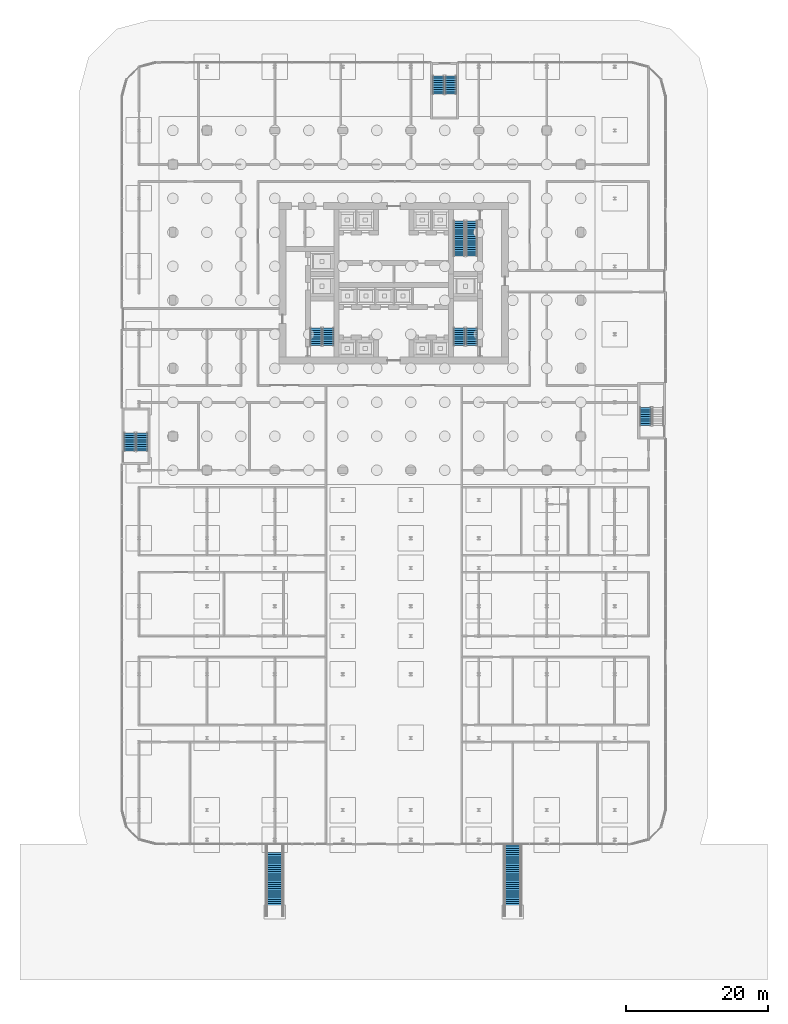
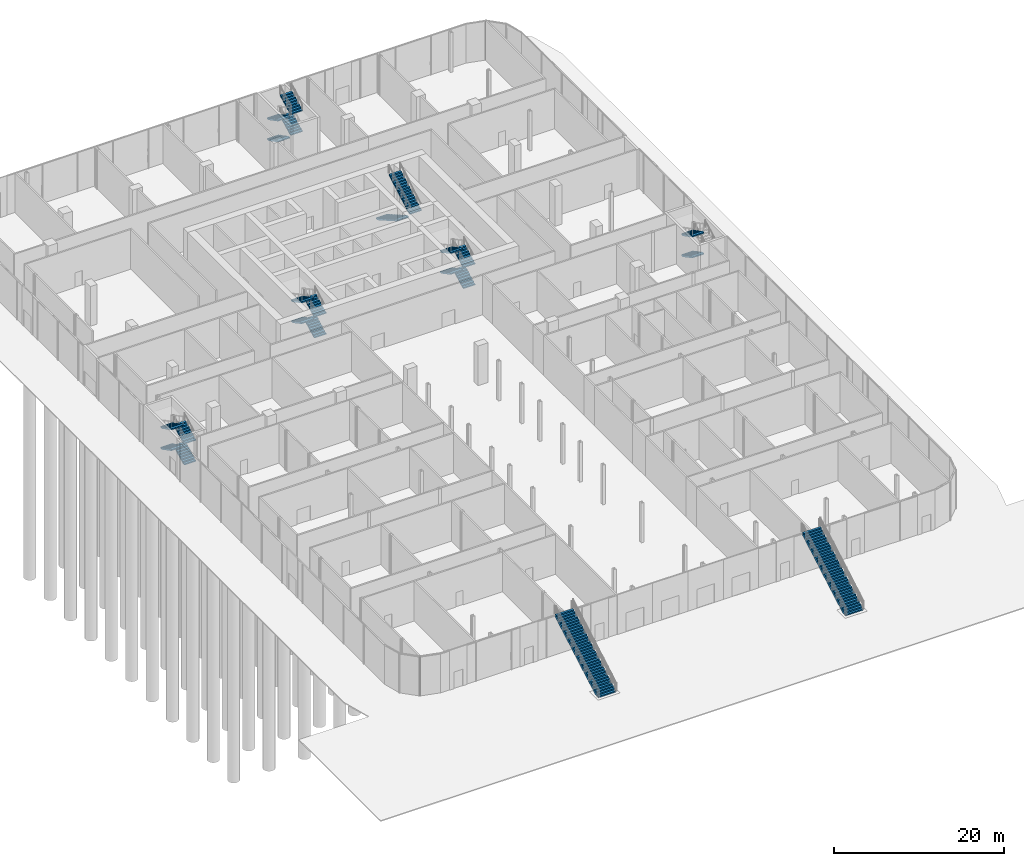
# One storey, part 37 of 44: 22 stair flights, 8 elements without a shape of their own.
"""IFC4 building model written with IfcOpenShell, lengths in metres."""

import ifcopenshell
import ifcopenshell.guid

model = None  # the IFC model being written
_history = None  # IfcOwnerHistory: only IFC2X3 demands one
_inside = {}  # id of a spatial element -> (the spatial element, [elements in it])
_under = {}  # id of a project, library or spatial element -> (it, [spatial elements below it])
_declared = {}  # id of a project -> (the project, [libraries it declares])
_typed = {}  # id of a type object -> (the type object, [elements of that type])
_made_of = {}  # id of a material, layer set ... -> (it, [elements and type objects made of it])


def new_model(schema):
    """Start an empty IFC model of exactly this schema.

    Asked for "IFC4X3", IfcOpenShell would pick the latest addendum, in which some entities
    have other attributes; the version numbers below select the first issue.
    IFC2X3 requires an IfcOwnerHistory on every rooted entity: one is made here for all.
    """
    global model, _history
    if schema == "IFC4X3":
        model = ifcopenshell.file(schema_version=(4, 3, 0, 0))
    else:
        model = ifcopenshell.file(schema=schema)
    _inside.clear()
    _under.clear()
    _declared.clear()
    _typed.clear()
    _made_of.clear()
    _history = None
    if model.schema == "IFC2X3":
        org = make("IfcOrganization", Name="unknown")
        user = make(
            "IfcPersonAndOrganization",
            ThePerson=make("IfcPerson", FamilyName="unknown"),
            TheOrganization=org,
        )
        app = make(
            "IfcApplication",
            ApplicationDeveloper=org,
            Version="unknown",
            ApplicationFullName="unknown",
            ApplicationIdentifier="unknown",
        )
        _history = make(
            "IfcOwnerHistory",
            OwningUser=user,
            OwningApplication=app,
            ChangeAction="ADDED",
            CreationDate=0,
        )
    return model


def make(cls, **values):
    """One entity of the class cls with the attributes given. An attribute that is None is left unset."""
    return model.create_entity(
        cls, **{name: value for name, value in values.items() if value is not None}
    )


def rooted(cls, **values):
    """An entity with a GlobalId (a new one), such as an element, a storey or a relation."""
    return make(cls, GlobalId=ifcopenshell.guid.new(), OwnerHistory=_history, **values)


def si_unit(unit_type, name, prefix=None):
    """IfcSIUnit, for example si_unit("LENGTHUNIT", "METRE", prefix="MILLI")."""
    return make("IfcSIUnit", UnitType=unit_type, Prefix=prefix, Name=name)


def assignment(units):
    """IfcUnitAssignment: the units of a project."""
    return None if units is None else make("IfcUnitAssignment", Units=units)


def point(xyz):
    """IfcCartesianPoint."""
    return None if xyz is None else make("IfcCartesianPoint", Coordinates=xyz)


def direction(xyz):
    """IfcDirection."""
    return None if xyz is None else make("IfcDirection", DirectionRatios=xyz)


def frame(location, z_axis=None, x_axis=None):
    """IfcAxis2Placement3D, a coordinate frame: its origin and axes. An axis left out is left unset."""
    return make(
        "IfcAxis2Placement3D",
        Location=point(location),
        Axis=direction(z_axis),
        RefDirection=direction(x_axis),
    )


def origin():
    """The frame at (0, 0, 0) with its axes left unset."""
    return frame((0.0, 0.0, 0.0))


def place(relative_to, where):
    """IfcLocalPlacement: puts the frame where relative to a parent placement (None: the world)."""
    return make(
        "IfcLocalPlacement", PlacementRelTo=relative_to, RelativePlacement=where
    )


def context(
    kind, dimensions, precision=None, world=None, true_north=None, identifier=None
):
    """IfcGeometricRepresentationContext, for example the 3D "Model" context."""
    return make(
        "IfcGeometricRepresentationContext",
        ContextIdentifier=identifier,
        ContextType=kind,
        CoordinateSpaceDimension=dimensions,
        Precision=precision,
        WorldCoordinateSystem=world,
        TrueNorth=true_north,
    )


def subcontext(parent, identifier, kind, view, scale=None):
    """IfcGeometricRepresentationSubContext, for example "Body" below "Model"."""
    return make(
        "IfcGeometricRepresentationSubContext",
        ContextIdentifier=identifier,
        ContextType=kind,
        ParentContext=parent,
        TargetScale=scale,
        TargetView=view,
    )


def project(units=None, contexts=None):
    """IfcProject with its units and contexts."""
    return rooted(
        "IfcProject",
        Name="project",
        RepresentationContexts=contexts,
        UnitsInContext=assignment(units),
    )


def spatial(cls, under=None, at=None, **own):
    """A site, building, storey or space (cls), placed at a placement, below another one or the project."""
    s = rooted(cls, ObjectPlacement=at, **own)
    if under is not None:
        _under.setdefault(under.id(), (under, []))[1].append(s)
    return s


def polyline(points):
    """IfcPolyline through the points."""
    return make("IfcPolyline", Points=[point(p) for p in points])


def outline(outer, holes=None, kind="AREA"):
    """IfcArbitraryClosedProfileDef: a profile drawn as a closed curve; with holes, ...WithVoids."""
    if holes is None:
        return make("IfcArbitraryClosedProfileDef", ProfileType=kind, OuterCurve=outer)
    return make(
        "IfcArbitraryProfileDefWithVoids",
        ProfileType=kind,
        OuterCurve=outer,
        InnerCurves=holes,
    )


def extrude(swept, where, along, depth):
    """IfcExtrudedAreaSolid: the profile swept, set in the frame where, extruded along a direction by depth."""
    return make(
        "IfcExtrudedAreaSolid",
        SweptArea=swept,
        Position=where,
        ExtrudedDirection=direction(along),
        Depth=depth,
    )


def shape(context_of_items, identifier, shape_type, items):
    """IfcShapeRepresentation: the items that make up one representation, for example the "Body"."""
    return make(
        "IfcShapeRepresentation",
        ContextOfItems=context_of_items,
        RepresentationIdentifier=identifier,
        RepresentationType=shape_type,
        Items=items,
    )


def material(Name=None, Category=None):
    """IfcMaterial."""
    return make("IfcMaterial", Name=Name, Category=Category)


def made_of(thing, what):
    """Note that an element or type object is made of a material, layer set ...; save() writes the relation."""
    if what is not None:
        _made_of.setdefault(what.id(), (what, []))[1].append(thing)
    return thing


def type_object(cls, material=None, **own):
    """A type object (cls), such as IfcWallType, which elements share."""
    return made_of(rooted(cls, **own), material)


def element(
    cls,
    number,
    at=None,
    inside=None,
    cuts=None,
    type_object=None,
    material=None,
    context=None,
    identifier="Body",
    shape_type=None,
    held_by="IfcProductDefinitionShape",
    body=None,
    shapes=None,
    **own,
):
    """One element of the class cls, such as IfcWall. Its Tag is "e" and its number.

    at: its placement. inside: the storey or other place that contains it. cuts: it is an
    opening in that element (IfcRelVoidsElement). A single representation is given by context,
    identifier, shape_type and body (its items); several are given by shapes. held_by: the class
    of the entity that holds the representations. save() writes the other relations.
    """
    e = rooted(cls, Tag="e%d" % number, ObjectPlacement=at, **own)
    if body is not None:
        shapes = [shape(context, identifier, shape_type, body)]
    if shapes is not None:
        e.Representation = make(held_by, Representations=shapes)
    if inside is not None:
        _inside.setdefault(inside.id(), (inside, []))[1].append(e)
    if cuts is not None:
        rooted(
            "IfcRelVoidsElement", RelatingBuildingElement=cuts, RelatedOpeningElement=e
        )
    if type_object is not None:
        _typed.setdefault(type_object.id(), (type_object, []))[1].append(e)
    return made_of(e, material)


def aggregate(whole, parts):
    """IfcRelAggregates: a whole, such as a stair, and the parts it consists of."""
    return rooted("IfcRelAggregates", RelatingObject=whole, RelatedObjects=parts)


def save(model, path):
    """Write the relations noted so far, then the file.

    IfcRelAggregates (storeys below a building ...), IfcRelContainedInSpatialStructure (elements
    in a storey), IfcRelDefinesByType, IfcRelAssociatesMaterial and IfcRelDeclares: one each for
    every whole, place, type object, material and project.
    """
    for whole, parts in _under.values():
        aggregate(whole, parts)
    for where, things in _inside.values():
        rooted(
            "IfcRelContainedInSpatialStructure",
            RelatedElements=things,
            RelatingStructure=where,
        )
    for kind, things in _typed.values():
        rooted("IfcRelDefinesByType", RelatedObjects=things, RelatingType=kind)
    for what, things in _made_of.values():
        rooted("IfcRelAssociatesMaterial", RelatedObjects=things, RelatingMaterial=what)
    for by, libraries in _declared.values():
        rooted("IfcRelDeclares", RelatingContext=by, RelatedDefinitions=libraries)
    model.write(path)


model = new_model("IFC4")

# Units and contexts
model_context = context("Model", 3, precision=1e-05, world=origin(), true_north=direction((0.0, 1.0)))
body_context = subcontext(model_context, "Body", "Model", "MODEL_VIEW")
ifc_project = project(units=[si_unit("LENGTHUNIT", "METRE"), si_unit("AREAUNIT", "SQUARE_METRE"), si_unit("VOLUMEUNIT", "CUBIC_METRE"), si_unit("PLANEANGLEUNIT", "RADIAN"), si_unit("MASSUNIT", "GRAM", prefix="KILO")], contexts=[model_context])

# Site, building, storey
site_placement = place(None, origin())
site = spatial("IfcSite", under=ifc_project, at=site_placement, CompositionType="ELEMENT")
building_placement = place(site_placement, origin())
building = spatial("IfcBuilding", under=site, at=building_placement, Name="Madar Terraces", CompositionType="ELEMENT")
storey_placement = place(building_placement, origin())
storey = spatial("IfcBuildingStorey", under=building, at=storey_placement, Name="L00", CompositionType="ELEMENT", Elevation=0.0)

# Stair, stair flight
ifc_material_1 = material(Name="Concrete C40/50", Category="concrete")
stair_type_1 = type_object("IfcStairType", Name="Cascade stair 2400", PredefinedType="STRAIGHT_RUN_STAIR", material=ifc_material_1)
stair_1_placement = place(storey_placement, origin())
stair_1 = element("IfcStair", 1, at=stair_1_placement, inside=storey, type_object=stair_type_1, Name="Cascade stair L01 1", PredefinedType="STRAIGHT_RUN_STAIR")
ifc_material_2 = material(Name="Concrete C40/50", Category="concrete")
stair_flight_type_1 = type_object("IfcStairFlightType", Name="Stair flight CS1-F1, 2400 wide, 35 risers", PredefinedType="STRAIGHT", material=ifc_material_2)
stair_flight_1_placement = place(storey_placement, frame((14.39990234375, -63.0, 0.0), z_axis=(0.0, 0.0, 1.0), x_axis=(0.0, 1.0, 0.0)))
stair_flight_1 = element("IfcStairFlight", 2, at=stair_flight_1_placement, type_object=stair_flight_type_1, Name="CS1 flight 1", NumberOfRisers=35, NumberOfTreads=34, PredefinedType="STRAIGHT", RiserHeight=0.171428571, TreadLength=0.3, context=body_context, shape_type="SweptSolid", body=[
    extrude(outline(polyline([(0.0, 0.0), (0.0, 0.17138671875), (0.300048828125, 0.17138671875), (0.300048828125, 0.3427734375), (0.60009765625, 0.3427734375), (0.60009765625, 0.514404296875), (0.89990234375, 0.514404296875), (0.89990234375, 0.685791015625), (1.199951171875, 0.685791015625), (1.199951171875, 0.857177734375), (1.5, 0.857177734375), (1.5, 1.028564453125), (1.800048828125, 1.028564453125), (1.800048828125, 1.199951171875), (2.10009765625, 1.199951171875), (2.10009765625, 1.371337890625), (2.39990234375, 1.371337890625), (2.39990234375, 1.54296875), (2.699951171875, 1.54296875), (2.699951171875, 1.71435546875), (3.0, 1.71435546875), (3.0, 1.8857421875), (3.300048828125, 1.8857421875), (3.300048828125, 2.05712890625), (3.60009765625, 2.05712890625), (3.60009765625, 2.228515625), (3.89990234375, 2.228515625), (3.89990234375, 2.39990234375), (4.199951171875, 2.39990234375), (4.199951171875, 2.571533203125), (4.5, 2.571533203125), (4.5, 2.742919921875), (4.800048828125, 2.742919921875), (4.800048828125, 2.914306640625), (5.10009765625, 2.914306640625), (5.10009765625, 3.085693359375), (5.39990234375, 3.085693359375), (5.39990234375, 3.257080078125), (5.699951171875, 3.257080078125), (5.699951171875, 3.428466796875), (6.0, 3.428466796875), (6.0, 3.60009765625), (6.300048828125, 3.60009765625), (6.300048828125, 3.771484375), (6.60009765625, 3.771484375), (6.60009765625, 3.94287109375), (6.89990234375, 3.94287109375), (6.89990234375, 4.1142578125), (7.199951171875, 4.1142578125), (7.199951171875, 4.28564453125), (7.5, 4.28564453125), (7.5, 4.45703125), (7.800048828125, 4.45703125), (7.800048828125, 4.628662109375), (8.10009765625, 4.628662109375), (8.10009765625, 4.800048828125), (8.39990234375, 4.800048828125), (8.39990234375, 4.971435546875), (8.699951171875, 4.971435546875), (8.699951171875, 5.142822265625), (9.0, 5.142822265625), (9.0, 5.314208984375), (9.300048828125, 5.314208984375), (9.300048828125, 5.485595703125), (9.60009765625, 5.485595703125), (9.60009765625, 5.6572265625), (9.89990234375, 5.6572265625), (9.89990234375, 5.82861328125), (10.199951171875, 5.82861328125), (10.199951171875, 6.0), (10.199951171875, 5.42529296875), (0.70556640625, 0.0), (0.0, 0.0)])), frame((0.0, 1.199951171875, 0.0), z_axis=(0.0, -1.0, 0.0), x_axis=(1.0, 0.0, 0.0)), (0.0, 0.0, 1.0), 2.39990234375),
])
aggregate(stair_1, [stair_flight_1])

stair_2_placement = place(storey_placement, origin())
stair_2 = element("IfcStair", 3, at=stair_2_placement, inside=storey, type_object=stair_type_1, Name="Cascade stair L01 2", PredefinedType="STRAIGHT_RUN_STAIR")
stair_flight_2_placement = place(storey_placement, frame((48.0, -63.0, 0.0), z_axis=(0.0, 0.0, 1.0), x_axis=(0.0, 1.0, 0.0)))
stair_flight_2 = element("IfcStairFlight", 4, at=stair_flight_2_placement, type_object=stair_flight_type_1, Name="CS1 flight 1", NumberOfRisers=35, NumberOfTreads=34, PredefinedType="STRAIGHT", RiserHeight=0.171428571, TreadLength=0.3, context=body_context, shape_type="SweptSolid", body=[
    extrude(outline(polyline([(0.0, 0.0), (0.0, 0.17138671875), (0.300048828125, 0.17138671875), (0.300048828125, 0.3427734375), (0.60009765625, 0.3427734375), (0.60009765625, 0.514404296875), (0.89990234375, 0.514404296875), (0.89990234375, 0.685791015625), (1.199951171875, 0.685791015625), (1.199951171875, 0.857177734375), (1.5, 0.857177734375), (1.5, 1.028564453125), (1.800048828125, 1.028564453125), (1.800048828125, 1.199951171875), (2.10009765625, 1.199951171875), (2.10009765625, 1.371337890625), (2.39990234375, 1.371337890625), (2.39990234375, 1.54296875), (2.699951171875, 1.54296875), (2.699951171875, 1.71435546875), (3.0, 1.71435546875), (3.0, 1.8857421875), (3.300048828125, 1.8857421875), (3.300048828125, 2.05712890625), (3.60009765625, 2.05712890625), (3.60009765625, 2.228515625), (3.89990234375, 2.228515625), (3.89990234375, 2.39990234375), (4.199951171875, 2.39990234375), (4.199951171875, 2.571533203125), (4.5, 2.571533203125), (4.5, 2.742919921875), (4.800048828125, 2.742919921875), (4.800048828125, 2.914306640625), (5.10009765625, 2.914306640625), (5.10009765625, 3.085693359375), (5.39990234375, 3.085693359375), (5.39990234375, 3.257080078125), (5.699951171875, 3.257080078125), (5.699951171875, 3.428466796875), (6.0, 3.428466796875), (6.0, 3.60009765625), (6.300048828125, 3.60009765625), (6.300048828125, 3.771484375), (6.60009765625, 3.771484375), (6.60009765625, 3.94287109375), (6.89990234375, 3.94287109375), (6.89990234375, 4.1142578125), (7.199951171875, 4.1142578125), (7.199951171875, 4.28564453125), (7.5, 4.28564453125), (7.5, 4.45703125), (7.800048828125, 4.45703125), (7.800048828125, 4.628662109375), (8.10009765625, 4.628662109375), (8.10009765625, 4.800048828125), (8.39990234375, 4.800048828125), (8.39990234375, 4.971435546875), (8.699951171875, 4.971435546875), (8.699951171875, 5.142822265625), (9.0, 5.142822265625), (9.0, 5.314208984375), (9.300048828125, 5.314208984375), (9.300048828125, 5.485595703125), (9.60009765625, 5.485595703125), (9.60009765625, 5.6572265625), (9.89990234375, 5.6572265625), (9.89990234375, 5.82861328125), (10.199951171875, 5.82861328125), (10.199951171875, 6.0), (10.199951171875, 5.42529296875), (0.70556640625, 0.0), (0.0, 0.0)])), frame((0.0, 1.199951171875, 0.0), z_axis=(0.0, -1.0, 0.0), x_axis=(1.0, 0.0, 0.0)), (0.0, 0.0, 1.0), 2.39990234375),
])
aggregate(stair_2, [stair_flight_2])

# Stair, stair flights
ifc_material_3 = material(Name="Concrete C50/60", Category="concrete")
stair_type_2 = type_object("IfcStairType", Name="Stair PS1 protected exit", PredefinedType="HALF_TURN_STAIR", material=ifc_material_3)
stair_3_placement = place(storey_placement, origin())
stair_3 = element("IfcStair", 5, at=stair_3_placement, inside=storey, type_object=stair_type_2, Name="L00 Protected Exit Stair PS1", PredefinedType="HALF_TURN_STAIR")
ifc_material_4 = material(Name="Concrete C50/60", Category="concrete")
stair_flight_type_2 = type_object("IfcStairFlightType", Name="Stair flight PS1-F1, 1600 wide, 9 risers", PredefinedType="STRAIGHT", material=ifc_material_4)
stair_flight_3_placement = place(storey_placement, frame((-4.35009765625, 2.699951171875, 0.0), z_axis=(0.0, 0.0, 1.0), x_axis=(0.0, 1.0, 0.0)))
stair_flight_3 = element("IfcStairFlight", 6, at=stair_flight_3_placement, type_object=stair_flight_type_2, Name="PS1 flight 1", NumberOfRisers=9, NumberOfTreads=8, PredefinedType="STRAIGHT", RiserHeight=0.166666667, TreadLength=0.32, context=body_context, shape_type="SweptSolid", body=[
    extrude(outline(polyline([(0.0, 0.0), (0.0, 0.166748046875), (0.320068359375, 0.166748046875), (0.320068359375, 0.333251953125), (0.639892578125, 0.333251953125), (0.639892578125, 0.5), (0.9599609375, 0.5), (0.9599609375, 0.666748046875), (1.280029296875, 0.666748046875), (1.280029296875, 0.833251953125), (1.60009765625, 0.833251953125), (1.60009765625, 1.0), (1.919921875, 1.0), (1.919921875, 1.166748046875), (2.239990234375, 1.166748046875), (2.239990234375, 1.333251953125), (2.56005859375, 1.333251953125), (2.56005859375, 1.5), (2.56005859375, 1.164306640625), (0.324462890625, 0.0), (0.0, 0.0)])), frame((0.0, 0.800048828125, 0.0), z_axis=(0.0, -1.0, 0.0), x_axis=(1.0, 0.0, 0.0)), (0.0, 0.0, 1.0), 1.60009765625),
])
stair_flight_4_placement = place(storey_placement, frame((-6.10009765625, 5.260009765625, 1.5), z_axis=(0.0, 0.0, 1.0), x_axis=(0.0, -1.0, 0.0)))
stair_flight_4 = element("IfcStairFlight", 7, at=stair_flight_4_placement, type_object=stair_flight_type_2, Name="PS1 flight 2", NumberOfRisers=9, NumberOfTreads=8, PredefinedType="STRAIGHT", RiserHeight=0.166666667, TreadLength=0.32, context=body_context, shape_type="SweptSolid", body=[
    extrude(outline(polyline([(0.0, 0.0), (0.0, 0.166748046875), (0.320068359375, 0.166748046875), (0.320068359375, 0.333251953125), (0.639892578125, 0.333251953125), (0.639892578125, 0.5), (0.9599609375, 0.5), (0.9599609375, 0.666748046875), (1.280029296875, 0.666748046875), (1.280029296875, 0.833251953125), (1.60009765625, 0.833251953125), (1.60009765625, 1.0), (1.919921875, 1.0), (1.919921875, 1.166748046875), (2.239990234375, 1.166748046875), (2.239990234375, 1.333251953125), (2.56005859375, 1.333251953125), (2.56005859375, 1.5), (2.56005859375, 1.164306640625), (0.324462890625, 0.0), (0.0, 0.0)])), frame((0.0, 0.800048828125, 0.0), z_axis=(0.0, -1.0, 0.0), x_axis=(1.0, 0.0, 0.0)), (0.0, 0.0, 1.0), 1.60009765625),
])
stair_flight_5_placement = place(storey_placement, frame((-4.35009765625, 2.699951171875, 3.0), z_axis=(0.0, 0.0, 1.0), x_axis=(0.0, 1.0, 0.0)))
stair_flight_5 = element("IfcStairFlight", 8, at=stair_flight_5_placement, type_object=stair_flight_type_2, Name="PS1 flight 3", NumberOfRisers=9, NumberOfTreads=8, PredefinedType="STRAIGHT", RiserHeight=0.166666667, TreadLength=0.32, context=body_context, shape_type="SweptSolid", body=[
    extrude(outline(polyline([(0.0, 0.0), (0.0, 0.166748046875), (0.320068359375, 0.166748046875), (0.320068359375, 0.333251953125), (0.639892578125, 0.333251953125), (0.639892578125, 0.5), (0.9599609375, 0.5), (0.9599609375, 0.666748046875), (1.280029296875, 0.666748046875), (1.280029296875, 0.833251953125), (1.60009765625, 0.833251953125), (1.60009765625, 1.0), (1.919921875, 1.0), (1.919921875, 1.166748046875), (2.239990234375, 1.166748046875), (2.239990234375, 1.333251953125), (2.56005859375, 1.333251953125), (2.56005859375, 1.5), (2.56005859375, 1.164306640625), (0.324462890625, 0.0), (0.0, 0.0)])), frame((0.0, 0.800048828125, 0.0), z_axis=(0.0, -1.0, 0.0), x_axis=(1.0, 0.0, 0.0)), (0.0, 0.0, 1.0), 1.60009765625),
])
stair_flight_6_placement = place(storey_placement, frame((-6.10009765625, 5.260009765625, 4.5), z_axis=(0.0, 0.0, 1.0), x_axis=(0.0, -1.0, 0.0)))
stair_flight_6 = element("IfcStairFlight", 9, at=stair_flight_6_placement, type_object=stair_flight_type_2, Name="PS1 flight 4", NumberOfRisers=9, NumberOfTreads=8, PredefinedType="STRAIGHT", RiserHeight=0.166666667, TreadLength=0.32, context=body_context, shape_type="SweptSolid", body=[
    extrude(outline(polyline([(0.0, 0.0), (0.0, 0.166748046875), (0.320068359375, 0.166748046875), (0.320068359375, 0.333251953125), (0.639892578125, 0.333251953125), (0.639892578125, 0.5), (0.9599609375, 0.5), (0.9599609375, 0.666748046875), (1.280029296875, 0.666748046875), (1.280029296875, 0.833251953125), (1.60009765625, 0.833251953125), (1.60009765625, 1.0), (1.919921875, 1.0), (1.919921875, 1.166748046875), (2.239990234375, 1.166748046875), (2.239990234375, 1.333251953125), (2.56005859375, 1.333251953125), (2.56005859375, 1.5), (2.56005859375, 1.164306640625), (0.324462890625, 0.0), (0.0, 0.0)])), frame((0.0, 0.800048828125, 0.0), z_axis=(0.0, -1.0, 0.0), x_axis=(1.0, 0.0, 0.0)), (0.0, 0.0, 1.0), 1.60009765625),
])
aggregate(stair_3, [stair_flight_3, stair_flight_4, stair_flight_5, stair_flight_6])

ifc_material_5 = material(Name="Concrete C50/60", Category="concrete")
stair_type_3 = type_object("IfcStairType", Name="Stair PS2 protected exit", PredefinedType="HALF_TURN_STAIR", material=ifc_material_5)
stair_4_placement = place(storey_placement, origin())
stair_4 = element("IfcStair", 10, at=stair_4_placement, inside=storey, type_object=stair_type_3, Name="L00 Protected Exit Stair PS2", PredefinedType="HALF_TURN_STAIR")
ifc_material_6 = material(Name="Concrete C50/60", Category="concrete")
stair_flight_type_3 = type_object("IfcStairFlightType", Name="Stair flight PS2-F1, 1600 wide, 9 risers", PredefinedType="STRAIGHT", material=ifc_material_6)
stair_flight_7_placement = place(storey_placement, frame((37.5, 55.699951171875, 0.0), z_axis=(0.0, 0.0, 1.0), x_axis=(0.0, -1.0, 0.0)))
stair_flight_7 = element("IfcStairFlight", 11, at=stair_flight_7_placement, type_object=stair_flight_type_3, Name="PS2 flight 1", NumberOfRisers=9, NumberOfTreads=8, PredefinedType="STRAIGHT", RiserHeight=0.166666667, TreadLength=0.32, context=body_context, shape_type="SweptSolid", body=[
    extrude(outline(polyline([(0.0, 0.0), (0.0, 0.166748046875), (0.320068359375, 0.166748046875), (0.320068359375, 0.333251953125), (0.639892578125, 0.333251953125), (0.639892578125, 0.5), (0.9599609375, 0.5), (0.9599609375, 0.666748046875), (1.280029296875, 0.666748046875), (1.280029296875, 0.833251953125), (1.60009765625, 0.833251953125), (1.60009765625, 1.0), (1.919921875, 1.0), (1.919921875, 1.166748046875), (2.239990234375, 1.166748046875), (2.239990234375, 1.333251953125), (2.56005859375, 1.333251953125), (2.56005859375, 1.5), (2.56005859375, 1.164306640625), (0.324462890625, 0.0), (0.0, 0.0)])), frame((0.0, 0.800048828125, 0.0), z_axis=(0.0, -1.0, 0.0), x_axis=(1.0, 0.0, 0.0)), (0.0, 0.0, 1.0), 1.60009765625),
])
stair_flight_8_placement = place(storey_placement, frame((39.25, 53.139892578125, 1.5), z_axis=(0.0, 0.0, 1.0), x_axis=(0.0, 1.0, 0.0)))
stair_flight_8 = element("IfcStairFlight", 12, at=stair_flight_8_placement, type_object=stair_flight_type_3, Name="PS2 flight 2", NumberOfRisers=9, NumberOfTreads=8, PredefinedType="STRAIGHT", RiserHeight=0.166666667, TreadLength=0.32, context=body_context, shape_type="SweptSolid", body=[
    extrude(outline(polyline([(0.0, 0.0), (0.0, 0.166748046875), (0.320068359375, 0.166748046875), (0.320068359375, 0.333251953125), (0.639892578125, 0.333251953125), (0.639892578125, 0.5), (0.9599609375, 0.5), (0.9599609375, 0.666748046875), (1.280029296875, 0.666748046875), (1.280029296875, 0.833251953125), (1.60009765625, 0.833251953125), (1.60009765625, 1.0), (1.919921875, 1.0), (1.919921875, 1.166748046875), (2.239990234375, 1.166748046875), (2.239990234375, 1.333251953125), (2.56005859375, 1.333251953125), (2.56005859375, 1.5), (2.56005859375, 1.164306640625), (0.324462890625, 0.0), (0.0, 0.0)])), frame((0.0, 0.800048828125, 0.0), z_axis=(0.0, -1.0, 0.0), x_axis=(1.0, 0.0, 0.0)), (0.0, 0.0, 1.0), 1.60009765625),
])
stair_flight_9_placement = place(storey_placement, frame((37.5, 55.699951171875, 3.0), z_axis=(0.0, 0.0, 1.0), x_axis=(0.0, -1.0, 0.0)))
stair_flight_9 = element("IfcStairFlight", 13, at=stair_flight_9_placement, type_object=stair_flight_type_3, Name="PS2 flight 3", NumberOfRisers=9, NumberOfTreads=8, PredefinedType="STRAIGHT", RiserHeight=0.166666667, TreadLength=0.32, context=body_context, shape_type="SweptSolid", body=[
    extrude(outline(polyline([(0.0, 0.0), (0.0, 0.166748046875), (0.320068359375, 0.166748046875), (0.320068359375, 0.333251953125), (0.639892578125, 0.333251953125), (0.639892578125, 0.5), (0.9599609375, 0.5), (0.9599609375, 0.666748046875), (1.280029296875, 0.666748046875), (1.280029296875, 0.833251953125), (1.60009765625, 0.833251953125), (1.60009765625, 1.0), (1.919921875, 1.0), (1.919921875, 1.166748046875), (2.239990234375, 1.166748046875), (2.239990234375, 1.333251953125), (2.56005859375, 1.333251953125), (2.56005859375, 1.5), (2.56005859375, 1.164306640625), (0.324462890625, 0.0), (0.0, 0.0)])), frame((0.0, 0.800048828125, 0.0), z_axis=(0.0, -1.0, 0.0), x_axis=(1.0, 0.0, 0.0)), (0.0, 0.0, 1.0), 1.60009765625),
])
stair_flight_10_placement = place(storey_placement, frame((39.25, 53.139892578125, 4.5), z_axis=(0.0, 0.0, 1.0), x_axis=(0.0, 1.0, 0.0)))
stair_flight_10 = element("IfcStairFlight", 14, at=stair_flight_10_placement, type_object=stair_flight_type_3, Name="PS2 flight 4", NumberOfRisers=9, NumberOfTreads=8, PredefinedType="STRAIGHT", RiserHeight=0.166666667, TreadLength=0.32, context=body_context, shape_type="SweptSolid", body=[
    extrude(outline(polyline([(0.0, 0.0), (0.0, 0.166748046875), (0.320068359375, 0.166748046875), (0.320068359375, 0.333251953125), (0.639892578125, 0.333251953125), (0.639892578125, 0.5), (0.9599609375, 0.5), (0.9599609375, 0.666748046875), (1.280029296875, 0.666748046875), (1.280029296875, 0.833251953125), (1.60009765625, 0.833251953125), (1.60009765625, 1.0), (1.919921875, 1.0), (1.919921875, 1.166748046875), (2.239990234375, 1.166748046875), (2.239990234375, 1.333251953125), (2.56005859375, 1.333251953125), (2.56005859375, 1.5), (2.56005859375, 1.164306640625), (0.324462890625, 0.0), (0.0, 0.0)])), frame((0.0, 0.800048828125, 0.0), z_axis=(0.0, -1.0, 0.0), x_axis=(1.0, 0.0, 0.0)), (0.0, 0.0, 1.0), 1.60009765625),
])
aggregate(stair_4, [stair_flight_7, stair_flight_8, stair_flight_9, stair_flight_10])

ifc_material_7 = material(Name="Concrete C50/60", Category="concrete")
stair_type_4 = type_object("IfcStairType", Name="Stair PS3 protected exit", PredefinedType="HALF_TURN_STAIR", material=ifc_material_7)
stair_5_placement = place(storey_placement, origin())
stair_5 = element("IfcStair", 15, at=stair_5_placement, inside=storey, type_object=stair_type_4, Name="L00 Protected Exit Stair PS3", PredefinedType="HALF_TURN_STAIR")
ifc_material_8 = material(Name="Concrete C50/60", Category="concrete")
stair_flight_type_4 = type_object("IfcStairFlightType", Name="Stair flight PS3-F1, 1600 wide, 9 risers", PredefinedType="STRAIGHT", material=ifc_material_8)
stair_flight_11_placement = place(storey_placement, frame((66.75, 8.860107421875, 1.5), z_axis=(0.0, 0.0, 1.0), x_axis=(0.0, -1.0, 0.0)))
stair_flight_11 = element("IfcStairFlight", 16, at=stair_flight_11_placement, type_object=stair_flight_type_4, Name="PS3 flight 2", NumberOfRisers=9, NumberOfTreads=8, PredefinedType="STRAIGHT", RiserHeight=0.166666667, TreadLength=0.32, context=body_context, shape_type="SweptSolid", body=[
    extrude(outline(polyline([(0.0, 0.0), (0.0, 0.166748046875), (0.320068359375, 0.166748046875), (0.320068359375, 0.333251953125), (0.639892578125, 0.333251953125), (0.639892578125, 0.5), (0.9599609375, 0.5), (0.9599609375, 0.666748046875), (1.280029296875, 0.666748046875), (1.280029296875, 0.833251953125), (1.60009765625, 0.833251953125), (1.60009765625, 1.0), (1.919921875, 1.0), (1.919921875, 1.166748046875), (2.239990234375, 1.166748046875), (2.239990234375, 1.333251953125), (2.56005859375, 1.333251953125), (2.56005859375, 1.5), (2.56005859375, 1.164306640625), (0.324462890625, 0.0), (0.0, 0.0)])), frame((0.0, 0.800048828125, 0.0), z_axis=(0.0, -1.0, 0.0), x_axis=(1.0, 0.0, 0.0)), (0.0, 0.0, 1.0), 1.60009765625),
])
stair_flight_12_placement = place(storey_placement, frame((66.75, 8.860107421875, 4.5), z_axis=(0.0, 0.0, 1.0), x_axis=(0.0, -1.0, 0.0)))
stair_flight_12 = element("IfcStairFlight", 17, at=stair_flight_12_placement, type_object=stair_flight_type_4, Name="PS3 flight 4", NumberOfRisers=9, NumberOfTreads=8, PredefinedType="STRAIGHT", RiserHeight=0.166666667, TreadLength=0.32, context=body_context, shape_type="SweptSolid", body=[
    extrude(outline(polyline([(0.0, 0.0), (0.0, 0.166748046875), (0.320068359375, 0.166748046875), (0.320068359375, 0.333251953125), (0.639892578125, 0.333251953125), (0.639892578125, 0.5), (0.9599609375, 0.5), (0.9599609375, 0.666748046875), (1.280029296875, 0.666748046875), (1.280029296875, 0.833251953125), (1.60009765625, 0.833251953125), (1.60009765625, 1.0), (1.919921875, 1.0), (1.919921875, 1.166748046875), (2.239990234375, 1.166748046875), (2.239990234375, 1.333251953125), (2.56005859375, 1.333251953125), (2.56005859375, 1.5), (2.56005859375, 1.164306640625), (0.324462890625, 0.0), (0.0, 0.0)])), frame((0.0, 0.800048828125, 0.0), z_axis=(0.0, -1.0, 0.0), x_axis=(1.0, 0.0, 0.0)), (0.0, 0.0, 1.0), 1.60009765625),
])
aggregate(stair_5, [stair_flight_11, stair_flight_12])

ifc_material_9 = material(Name="Concrete C50/60", Category="concrete")
stair_type_5 = type_object("IfcStairType", Name="Stair ST1 protected exit", PredefinedType="HALF_TURN_STAIR", material=ifc_material_9)
stair_6_placement = place(storey_placement, origin())
stair_6 = element("IfcStair", 18, at=stair_6_placement, inside=storey, type_object=stair_type_5, Name="L00 Protected Exit Stair ST1", PredefinedType="HALF_TURN_STAIR")
ifc_material_10 = material(Name="Concrete C50/60", Category="concrete")
stair_flight_type_5 = type_object("IfcStairFlightType", Name="Stair flight ST1-F1, 1600 wide, 9 risers", PredefinedType="STRAIGHT", material=ifc_material_10)
stair_flight_13_placement = place(storey_placement, frame((21.949951171875, 17.60009765625, 0.0), z_axis=(0.0, 0.0, 1.0), x_axis=(0.0, 1.0, 0.0)))
stair_flight_13 = element("IfcStairFlight", 19, at=stair_flight_13_placement, type_object=stair_flight_type_5, Name="ST1 flight 1", NumberOfRisers=9, NumberOfTreads=8, PredefinedType="STRAIGHT", RiserHeight=0.166666667, TreadLength=0.31, context=body_context, shape_type="SweptSolid", body=[
    extrude(outline(polyline([(0.0, 0.0), (0.0, 0.166748046875), (0.31005859375, 0.166748046875), (0.31005859375, 0.333251953125), (0.6201171875, 0.333251953125), (0.6201171875, 0.5), (0.929931640625, 0.5), (0.929931640625, 0.666748046875), (1.239990234375, 0.666748046875), (1.239990234375, 0.833251953125), (1.550048828125, 0.833251953125), (1.550048828125, 1.0), (1.860107421875, 1.0), (1.860107421875, 1.166748046875), (2.169921875, 1.166748046875), (2.169921875, 1.333251953125), (2.47998046875, 1.333251953125), (2.47998046875, 1.5), (2.47998046875, 1.1630859375), (0.316650390625, 0.0), (0.0, 0.0)])), frame((0.0, 0.800048828125, 0.0), z_axis=(0.0, -1.0, 0.0), x_axis=(1.0, 0.0, 0.0)), (0.0, 0.0, 1.0), 1.60009765625),
])
stair_flight_14_placement = place(storey_placement, frame((20.199951171875, 20.080078125, 1.5), z_axis=(0.0, 0.0, 1.0), x_axis=(0.0, -1.0, 0.0)))
stair_flight_14 = element("IfcStairFlight", 20, at=stair_flight_14_placement, type_object=stair_flight_type_5, Name="ST1 flight 2", NumberOfRisers=9, NumberOfTreads=8, PredefinedType="STRAIGHT", RiserHeight=0.166666667, TreadLength=0.31, context=body_context, shape_type="SweptSolid", body=[
    extrude(outline(polyline([(0.0, 0.0), (0.0, 0.166748046875), (0.31005859375, 0.166748046875), (0.31005859375, 0.333251953125), (0.6201171875, 0.333251953125), (0.6201171875, 0.5), (0.929931640625, 0.5), (0.929931640625, 0.666748046875), (1.239990234375, 0.666748046875), (1.239990234375, 0.833251953125), (1.550048828125, 0.833251953125), (1.550048828125, 1.0), (1.860107421875, 1.0), (1.860107421875, 1.166748046875), (2.169921875, 1.166748046875), (2.169921875, 1.333251953125), (2.47998046875, 1.333251953125), (2.47998046875, 1.5), (2.47998046875, 1.1630859375), (0.316650390625, 0.0), (0.0, 0.0)])), frame((0.0, 0.800048828125, 0.0), z_axis=(0.0, -1.0, 0.0), x_axis=(1.0, 0.0, 0.0)), (0.0, 0.0, 1.0), 1.60009765625),
])
stair_flight_15_placement = place(storey_placement, frame((21.949951171875, 17.60009765625, 3.0), z_axis=(0.0, 0.0, 1.0), x_axis=(0.0, 1.0, 0.0)))
stair_flight_15 = element("IfcStairFlight", 21, at=stair_flight_15_placement, type_object=stair_flight_type_5, Name="ST1 flight 3", NumberOfRisers=9, NumberOfTreads=8, PredefinedType="STRAIGHT", RiserHeight=0.166666667, TreadLength=0.31, context=body_context, shape_type="SweptSolid", body=[
    extrude(outline(polyline([(0.0, 0.0), (0.0, 0.166748046875), (0.31005859375, 0.166748046875), (0.31005859375, 0.333251953125), (0.6201171875, 0.333251953125), (0.6201171875, 0.5), (0.929931640625, 0.5), (0.929931640625, 0.666748046875), (1.239990234375, 0.666748046875), (1.239990234375, 0.833251953125), (1.550048828125, 0.833251953125), (1.550048828125, 1.0), (1.860107421875, 1.0), (1.860107421875, 1.166748046875), (2.169921875, 1.166748046875), (2.169921875, 1.333251953125), (2.47998046875, 1.333251953125), (2.47998046875, 1.5), (2.47998046875, 1.1630859375), (0.316650390625, 0.0), (0.0, 0.0)])), frame((0.0, 0.800048828125, 0.0), z_axis=(0.0, -1.0, 0.0), x_axis=(1.0, 0.0, 0.0)), (0.0, 0.0, 1.0), 1.60009765625),
])
stair_flight_16_placement = place(storey_placement, frame((20.199951171875, 20.080078125, 4.5), z_axis=(0.0, 0.0, 1.0), x_axis=(0.0, -1.0, 0.0)))
stair_flight_16 = element("IfcStairFlight", 22, at=stair_flight_16_placement, type_object=stair_flight_type_5, Name="ST1 flight 4", NumberOfRisers=9, NumberOfTreads=8, PredefinedType="STRAIGHT", RiserHeight=0.166666667, TreadLength=0.31, context=body_context, shape_type="SweptSolid", body=[
    extrude(outline(polyline([(0.0, 0.0), (0.0, 0.166748046875), (0.31005859375, 0.166748046875), (0.31005859375, 0.333251953125), (0.6201171875, 0.333251953125), (0.6201171875, 0.5), (0.929931640625, 0.5), (0.929931640625, 0.666748046875), (1.239990234375, 0.666748046875), (1.239990234375, 0.833251953125), (1.550048828125, 0.833251953125), (1.550048828125, 1.0), (1.860107421875, 1.0), (1.860107421875, 1.166748046875), (2.169921875, 1.166748046875), (2.169921875, 1.333251953125), (2.47998046875, 1.333251953125), (2.47998046875, 1.5), (2.47998046875, 1.1630859375), (0.316650390625, 0.0), (0.0, 0.0)])), frame((0.0, 0.800048828125, 0.0), z_axis=(0.0, -1.0, 0.0), x_axis=(1.0, 0.0, 0.0)), (0.0, 0.0, 1.0), 1.60009765625),
])
aggregate(stair_6, [stair_flight_13, stair_flight_14, stair_flight_15, stair_flight_16])

ifc_material_11 = material(Name="Concrete C50/60", Category="concrete")
stair_type_6 = type_object("IfcStairType", Name="Stair ST2 protected exit", PredefinedType="HALF_TURN_STAIR", material=ifc_material_11)
stair_7_placement = place(storey_placement, origin())
stair_7 = element("IfcStair", 23, at=stair_7_placement, inside=storey, type_object=stair_type_6, Name="L00 Protected Exit Stair ST2", PredefinedType="HALF_TURN_STAIR")
ifc_material_12 = material(Name="Concrete C50/60", Category="concrete")
stair_flight_type_6 = type_object("IfcStairFlightType", Name="Stair flight ST2-F1, 1600 wide, 17 risers", PredefinedType="STRAIGHT", material=ifc_material_12)
stair_flight_17_placement = place(storey_placement, frame((40.449951171875, 35.199951171875, 0.0), z_axis=(0.0, 0.0, 1.0), x_axis=(0.0, -1.0, 0.0)))
stair_flight_17 = element("IfcStairFlight", 24, at=stair_flight_17_placement, type_object=stair_flight_type_6, Name="ST2 flight 1", NumberOfRisers=17, NumberOfTreads=16, PredefinedType="STRAIGHT", RiserHeight=0.176470588, TreadLength=0.31, context=body_context, shape_type="SweptSolid", body=[
    extrude(outline(polyline([(0.0, 0.0), (0.0, 0.176513671875), (0.31005859375, 0.176513671875), (0.31005859375, 0.35302734375), (0.6201171875, 0.35302734375), (0.6201171875, 0.529296875), (0.929931640625, 0.529296875), (0.929931640625, 0.705810546875), (1.239990234375, 0.705810546875), (1.239990234375, 0.88232421875), (1.550048828125, 0.88232421875), (1.550048828125, 1.058837890625), (1.860107421875, 1.058837890625), (1.860107421875, 1.2353515625), (2.169921875, 1.2353515625), (2.169921875, 1.411865234375), (2.47998046875, 1.411865234375), (2.47998046875, 1.588134765625), (2.7900390625, 1.588134765625), (2.7900390625, 1.7646484375), (3.10009765625, 1.7646484375), (3.10009765625, 1.941162109375), (3.409912109375, 1.941162109375), (3.409912109375, 2.11767578125), (3.719970703125, 2.11767578125), (3.719970703125, 2.294189453125), (4.030029296875, 2.294189453125), (4.030029296875, 2.470703125), (4.340087890625, 2.470703125), (4.340087890625, 2.64697265625), (4.64990234375, 2.64697265625), (4.64990234375, 2.823486328125), (4.9599609375, 2.823486328125), (4.9599609375, 3.0), (4.9599609375, 2.651123046875), (0.302978515625, 0.0), (0.0, 0.0)])), frame((0.0, 0.800048828125, 0.0), z_axis=(0.0, -1.0, 0.0), x_axis=(1.0, 0.0, 0.0)), (0.0, 0.0, 1.0), 1.60009765625),
])
stair_flight_18_placement = place(storey_placement, frame((42.199951171875, 30.239990234375, 3.0), z_axis=(0.0, 0.0, 1.0), x_axis=(0.0, 1.0, 0.0)))
stair_flight_18 = element("IfcStairFlight", 25, at=stair_flight_18_placement, type_object=stair_flight_type_6, Name="ST2 flight 2", NumberOfRisers=17, NumberOfTreads=16, PredefinedType="STRAIGHT", RiserHeight=0.176470588, TreadLength=0.31, context=body_context, shape_type="SweptSolid", body=[
    extrude(outline(polyline([(0.0, 0.0), (0.0, 0.176513671875), (0.31005859375, 0.176513671875), (0.31005859375, 0.35302734375), (0.6201171875, 0.35302734375), (0.6201171875, 0.529296875), (0.929931640625, 0.529296875), (0.929931640625, 0.705810546875), (1.239990234375, 0.705810546875), (1.239990234375, 0.88232421875), (1.550048828125, 0.88232421875), (1.550048828125, 1.058837890625), (1.860107421875, 1.058837890625), (1.860107421875, 1.2353515625), (2.169921875, 1.2353515625), (2.169921875, 1.411865234375), (2.47998046875, 1.411865234375), (2.47998046875, 1.588134765625), (2.7900390625, 1.588134765625), (2.7900390625, 1.7646484375), (3.10009765625, 1.7646484375), (3.10009765625, 1.941162109375), (3.409912109375, 1.941162109375), (3.409912109375, 2.11767578125), (3.719970703125, 2.11767578125), (3.719970703125, 2.294189453125), (4.030029296875, 2.294189453125), (4.030029296875, 2.470703125), (4.340087890625, 2.470703125), (4.340087890625, 2.64697265625), (4.64990234375, 2.64697265625), (4.64990234375, 2.823486328125), (4.9599609375, 2.823486328125), (4.9599609375, 3.0), (4.9599609375, 2.651123046875), (0.302978515625, 0.0), (0.0, 0.0)])), frame((0.0, 0.800048828125, 0.0), z_axis=(0.0, -1.0, 0.0), x_axis=(1.0, 0.0, 0.0)), (0.0, 0.0, 1.0), 1.60009765625),
])
aggregate(stair_7, [stair_flight_17, stair_flight_18])

ifc_material_13 = material(Name="Concrete C50/60", Category="concrete")
stair_type_7 = type_object("IfcStairType", Name="Stair ST3 protected exit", PredefinedType="HALF_TURN_STAIR", material=ifc_material_13)
stair_8_placement = place(storey_placement, origin())
stair_8 = element("IfcStair", 26, at=stair_8_placement, inside=storey, type_object=stair_type_7, Name="L00 Protected Exit Stair ST3", PredefinedType="HALF_TURN_STAIR")
ifc_material_14 = material(Name="Concrete C50/60", Category="concrete")
stair_flight_type_7 = type_object("IfcStairFlightType", Name="Stair flight ST3-F1, 1600 wide, 9 risers", PredefinedType="STRAIGHT", material=ifc_material_14)
stair_flight_19_placement = place(storey_placement, frame((42.199951171875, 17.60009765625, 0.0), z_axis=(0.0, 0.0, 1.0), x_axis=(0.0, 1.0, 0.0)))
stair_flight_19 = element("IfcStairFlight", 27, at=stair_flight_19_placement, type_object=stair_flight_type_7, Name="ST3 flight 1", NumberOfRisers=9, NumberOfTreads=8, PredefinedType="STRAIGHT", RiserHeight=0.166666667, TreadLength=0.31, context=body_context, shape_type="SweptSolid", body=[
    extrude(outline(polyline([(0.0, 0.0), (0.0, 0.166748046875), (0.31005859375, 0.166748046875), (0.31005859375, 0.333251953125), (0.6201171875, 0.333251953125), (0.6201171875, 0.5), (0.929931640625, 0.5), (0.929931640625, 0.666748046875), (1.239990234375, 0.666748046875), (1.239990234375, 0.833251953125), (1.550048828125, 0.833251953125), (1.550048828125, 1.0), (1.860107421875, 1.0), (1.860107421875, 1.166748046875), (2.169921875, 1.166748046875), (2.169921875, 1.333251953125), (2.47998046875, 1.333251953125), (2.47998046875, 1.5), (2.47998046875, 1.1630859375), (0.316650390625, 0.0), (0.0, 0.0)])), frame((0.0, 0.800048828125, 0.0), z_axis=(0.0, -1.0, 0.0), x_axis=(1.0, 0.0, 0.0)), (0.0, 0.0, 1.0), 1.60009765625),
])
stair_flight_20_placement = place(storey_placement, frame((40.449951171875, 20.080078125, 1.5), z_axis=(0.0, 0.0, 1.0), x_axis=(0.0, -1.0, 0.0)))
stair_flight_20 = element("IfcStairFlight", 28, at=stair_flight_20_placement, type_object=stair_flight_type_7, Name="ST3 flight 2", NumberOfRisers=9, NumberOfTreads=8, PredefinedType="STRAIGHT", RiserHeight=0.166666667, TreadLength=0.31, context=body_context, shape_type="SweptSolid", body=[
    extrude(outline(polyline([(0.0, 0.0), (0.0, 0.166748046875), (0.31005859375, 0.166748046875), (0.31005859375, 0.333251953125), (0.6201171875, 0.333251953125), (0.6201171875, 0.5), (0.929931640625, 0.5), (0.929931640625, 0.666748046875), (1.239990234375, 0.666748046875), (1.239990234375, 0.833251953125), (1.550048828125, 0.833251953125), (1.550048828125, 1.0), (1.860107421875, 1.0), (1.860107421875, 1.166748046875), (2.169921875, 1.166748046875), (2.169921875, 1.333251953125), (2.47998046875, 1.333251953125), (2.47998046875, 1.5), (2.47998046875, 1.1630859375), (0.316650390625, 0.0), (0.0, 0.0)])), frame((0.0, 0.800048828125, 0.0), z_axis=(0.0, -1.0, 0.0), x_axis=(1.0, 0.0, 0.0)), (0.0, 0.0, 1.0), 1.60009765625),
])
stair_flight_21_placement = place(storey_placement, frame((42.199951171875, 17.60009765625, 3.0), z_axis=(0.0, 0.0, 1.0), x_axis=(0.0, 1.0, 0.0)))
stair_flight_21 = element("IfcStairFlight", 29, at=stair_flight_21_placement, type_object=stair_flight_type_7, Name="ST3 flight 3", NumberOfRisers=9, NumberOfTreads=8, PredefinedType="STRAIGHT", RiserHeight=0.166666667, TreadLength=0.31, context=body_context, shape_type="SweptSolid", body=[
    extrude(outline(polyline([(0.0, 0.0), (0.0, 0.166748046875), (0.31005859375, 0.166748046875), (0.31005859375, 0.333251953125), (0.6201171875, 0.333251953125), (0.6201171875, 0.5), (0.929931640625, 0.5), (0.929931640625, 0.666748046875), (1.239990234375, 0.666748046875), (1.239990234375, 0.833251953125), (1.550048828125, 0.833251953125), (1.550048828125, 1.0), (1.860107421875, 1.0), (1.860107421875, 1.166748046875), (2.169921875, 1.166748046875), (2.169921875, 1.333251953125), (2.47998046875, 1.333251953125), (2.47998046875, 1.5), (2.47998046875, 1.1630859375), (0.316650390625, 0.0), (0.0, 0.0)])), frame((0.0, 0.800048828125, 0.0), z_axis=(0.0, -1.0, 0.0), x_axis=(1.0, 0.0, 0.0)), (0.0, 0.0, 1.0), 1.60009765625),
])
stair_flight_22_placement = place(storey_placement, frame((40.449951171875, 20.080078125, 4.5), z_axis=(0.0, 0.0, 1.0), x_axis=(0.0, -1.0, 0.0)))
stair_flight_22 = element("IfcStairFlight", 30, at=stair_flight_22_placement, type_object=stair_flight_type_7, Name="ST3 flight 4", NumberOfRisers=9, NumberOfTreads=8, PredefinedType="STRAIGHT", RiserHeight=0.166666667, TreadLength=0.31, context=body_context, shape_type="SweptSolid", body=[
    extrude(outline(polyline([(0.0, 0.0), (0.0, 0.166748046875), (0.31005859375, 0.166748046875), (0.31005859375, 0.333251953125), (0.6201171875, 0.333251953125), (0.6201171875, 0.5), (0.929931640625, 0.5), (0.929931640625, 0.666748046875), (1.239990234375, 0.666748046875), (1.239990234375, 0.833251953125), (1.550048828125, 0.833251953125), (1.550048828125, 1.0), (1.860107421875, 1.0), (1.860107421875, 1.166748046875), (2.169921875, 1.166748046875), (2.169921875, 1.333251953125), (2.47998046875, 1.333251953125), (2.47998046875, 1.5), (2.47998046875, 1.1630859375), (0.316650390625, 0.0), (0.0, 0.0)])), frame((0.0, 0.800048828125, 0.0), z_axis=(0.0, -1.0, 0.0), x_axis=(1.0, 0.0, 0.0)), (0.0, 0.0, 1.0), 1.60009765625),
])
aggregate(stair_8, [stair_flight_19, stair_flight_20, stair_flight_21, stair_flight_22])

save(model, "model.ifc")
